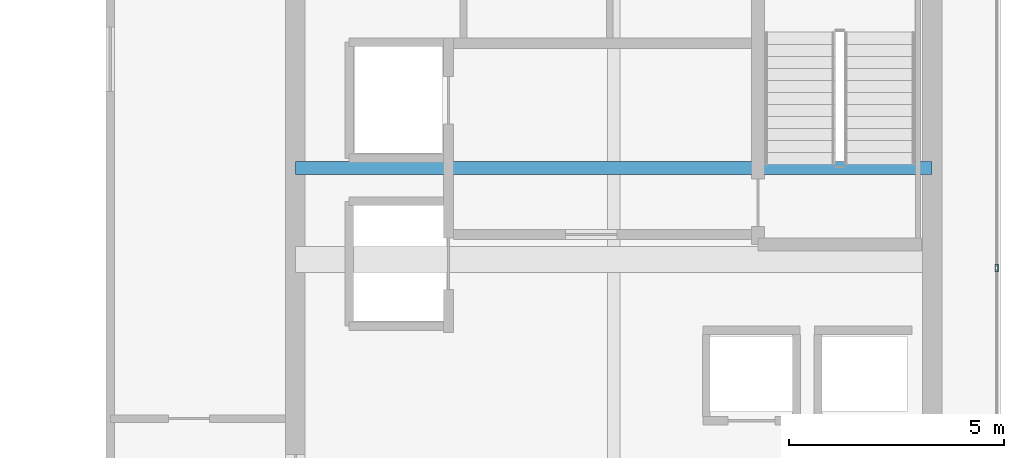
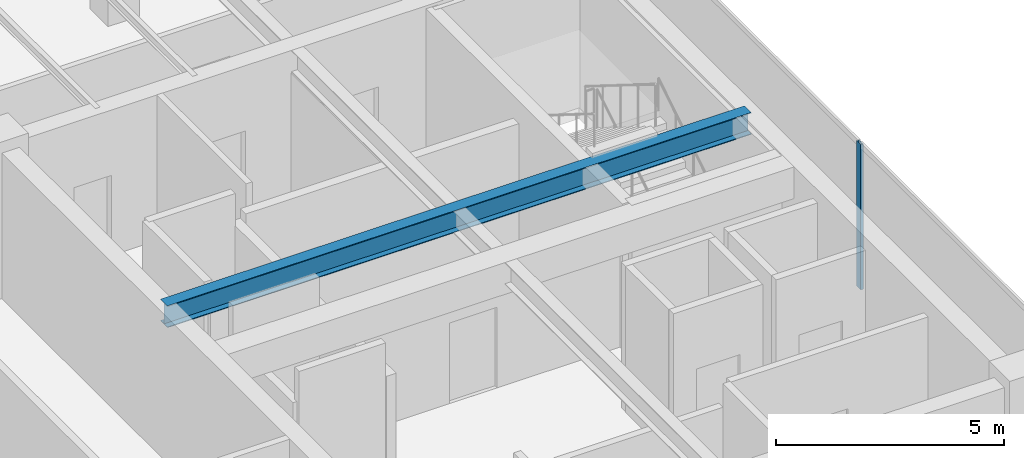
# One storey, part 14 of 31: 1 beam, 1 member, 1 element without a shape of its own.
"""IFC4 building model written with IfcOpenShell, lengths in metres."""

from ifc_helpers import new_model, si_unit, direction, frame, origin, origin_2d, place, context, subcontext, project, spatial, hollow_rectangle, i_section, extrude, source, transform, mapped, material, layer, layer_set, material_profile, profile_set, type_object, type_shapes, element, aggregate, save


model = new_model("IFC4")

# Units and contexts
model_context = context("Model", 3, precision=1e-05, world=origin(), true_north=direction((0.0, 1.0)))
body_context = subcontext(model_context, "Body", "Model", "MODEL_VIEW")
ifc_project = project(units=[si_unit("LENGTHUNIT", "METRE"), si_unit("AREAUNIT", "SQUARE_METRE"), si_unit("VOLUMEUNIT", "CUBIC_METRE"), si_unit("PLANEANGLEUNIT", "RADIAN"), si_unit("MASSUNIT", "GRAM", prefix="KILO")], contexts=[model_context])

# Site, building, storey
site_placement = place(None, origin())
site = spatial("IfcSite", under=ifc_project, at=site_placement, CompositionType="ELEMENT")
building_placement = place(site_placement, origin())
building = spatial("IfcBuilding", under=site, at=building_placement, Name="Haelvirn Gate Laboratories", CompositionType="ELEMENT")
storey_placement = place(building_placement, frame((0.0, 0.0, 310.199951171875)))
storey = spatial("IfcBuildingStorey", under=building, at=storey_placement, Name="L74", CompositionType="ELEMENT", Elevation=310.199951171875)

# Beam
ifc_material_1 = material(Name="Steel SM355", Category="steel")
ifc_material_profile_1 = material_profile(ifc_material_1, i_section(OverallWidth=0.300048828125, OverallDepth=0.587890625, WebThickness=0.011962890625, FlangeThickness=0.02001953125, at=origin_2d()), Name="H-588x300x12x20")
ifc_profile_set_1 = profile_set([ifc_material_profile_1], Name="Steel SM355")
beam_type = type_object("IfcBeamType", Name="BM-G-588", PredefinedType="BEAM", material=ifc_profile_set_1)
shared_shape_1 = source(origin(), body_context, "Body", "SweptSolid", [
    extrude(i_section(OverallWidth=0.300048828125, OverallDepth=0.587890625, WebThickness=0.011962890625, FlangeThickness=0.02001953125, at=origin_2d()), origin(), (0.0, 0.0, 1.0), 14.7998046875),
])
type_shapes(beam_type, [shared_shape_1])
beam_placement = place(storey_placement, frame((52.60009765625, 26.6201171875, 3.60595703125), z_axis=(1.0, 0.0, 0.0), x_axis=(0.0, 1.0, 0.0)))
element("IfcBeam", 1, at=beam_placement, inside=storey, type_object=beam_type, Name="L74 Stair ST2 Landing Header", PredefinedType="BEAM", context=body_context, shape_type="MappedRepresentation", body=[
    mapped(shared_shape_1, transform((0.0, 0.0, 0.0), scale=1.0)),
])

# Curtain wall, member
ifc_material_2 = material(Name="Anodised bronze unitised aluminium & triple low-E glass", Category="aluminium")
ifc_layer = layer(ifc_material_2, 0.176025390625, Name="CW-SYS-4")
ifc_layer_set = layer_set([ifc_layer], Name="Anodised bronze unitised aluminium & triple low-E glass")
curtain_wall_type = type_object("IfcCurtainWallType", Name="CW-SYS-4", PredefinedType="NOTDEFINED", material=ifc_layer_set)
curtain_wall_placement = place(storey_placement, origin())
curtain_wall = element("IfcCurtainWall", 2, at=curtain_wall_placement, inside=storey, type_object=curtain_wall_type, Name="L74 Unitised Curtain Wall CW-L74-P0-E07", PredefinedType="NOTDEFINED")
ifc_material_3 = material(Name="Extruded aluminium 6063-T6 (anodised bronze)", Category="aluminium")
ifc_material_profile_2 = material_profile(ifc_material_3, hollow_rectangle(XDim=0.070068359375, YDim=0.179931640625, WallThickness=0.0048828125, at=origin_2d()), Name="CWM-180x70x5")
ifc_profile_set_2 = profile_set([ifc_material_profile_2], Name="Extruded aluminium 6063-T6 (anodised bronze)")
member_type = type_object("IfcMemberType", Name="CWM-T180", PredefinedType="MULLION", material=ifc_profile_set_2)
shared_shape_2 = source(origin(), body_context, "Body", "SweptSolid", [
    extrude(hollow_rectangle(XDim=0.070068359375, YDim=0.179931640625, WallThickness=0.0048828125, at=origin_2d()), origin(), (0.0, 0.0, 1.0), 3.900146484375),
])
type_shapes(member_type, [shared_shape_2])
member_placement = place(storey_placement, frame((68.89990234375, 24.300048828125, 0.0), z_axis=(0.0, 0.0, 1.0), x_axis=(-1.0, 0.0, 0.0)))
member = element("IfcMember", 3, at=member_placement, type_object=member_type, Name="CW4 mullion 2", PredefinedType="MULLION", context=body_context, shape_type="MappedRepresentation", body=[
    mapped(shared_shape_2, transform((0.0, 0.0, 0.0), scale=1.0)),
])
aggregate(curtain_wall, [member])

save(model, "model.ifc")
